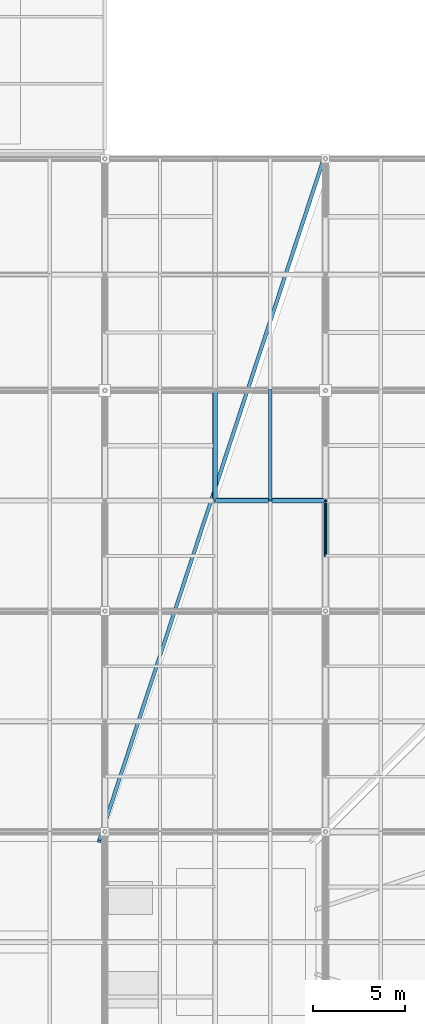
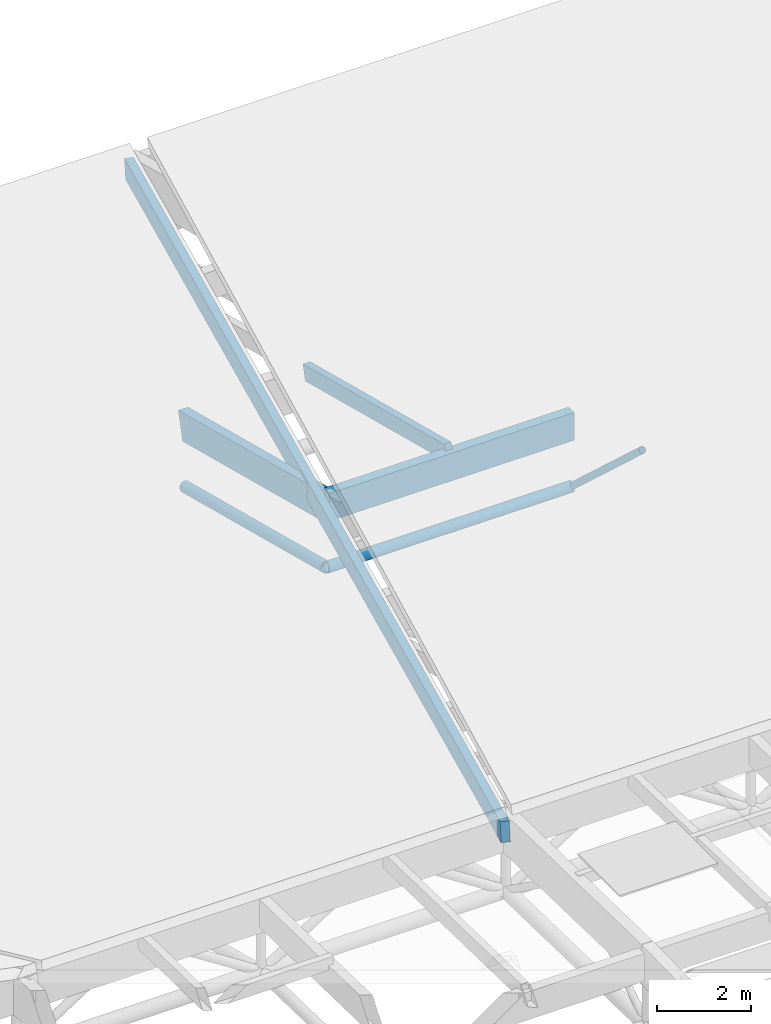
# One storey, part 61 of 80: 7 members.
"""IFC4 building model written with IfcOpenShell, lengths in metres."""

from ifc_helpers import new_model, si_unit, direction, frame, origin, origin_2d, place, context, subcontext, project, spatial, rectangle, hollow_circle, extrude, material, material_profile, profile_set, type_object, element, save


model = new_model("IFC4")

# Units and contexts
model_context = context("Model", 3, precision=1e-05, world=origin(), true_north=direction((0.0, 1.0)))
body_context = subcontext(model_context, "Body", "Model", "MODEL_VIEW")
ifc_project = project(units=[si_unit("LENGTHUNIT", "METRE"), si_unit("AREAUNIT", "SQUARE_METRE"), si_unit("VOLUMEUNIT", "CUBIC_METRE"), si_unit("PLANEANGLEUNIT", "RADIAN"), si_unit("MASSUNIT", "GRAM", prefix="KILO"), si_unit("THERMODYNAMICTEMPERATUREUNIT", "KELVIN"), si_unit("POWERUNIT", "WATT")], contexts=[model_context])

# Site, building, storey
site_placement = place(None, origin())
site = spatial("IfcSite", under=ifc_project, at=site_placement, CompositionType="ELEMENT")
building_placement = place(site_placement, origin())
building = spatial("IfcBuilding", under=site, at=building_placement, Name="Solmara Park Aquatics Centre", CompositionType="ELEMENT")
storey_placement = place(building_placement, frame((0.0, 0.0, 22.800048828125)))
storey = spatial("IfcBuildingStorey", under=building, at=storey_placement, Name="RF", CompositionType="ELEMENT", Elevation=22.800048828125)

# Members
ifc_material_1 = material(Name="Structural Steel S355", Category="steel")
ifc_material_profile_1 = material_profile(ifc_material_1, hollow_circle(Radius=0.084228515625, WallThickness=0.008056640625, at=origin_2d()), Name="CHS 168.3x8")
ifc_profile_set_1 = profile_set([ifc_material_profile_1], Name="Structural Steel S355")
member_type_1 = type_object("IfcMemberType", Name="STR-BRC-CHS168", PredefinedType="BRACE", material=ifc_profile_set_1)
member_1_placement = place(storey_placement, frame((72.60009765625, 66.60009765625, -9.58984375), z_axis=(0.0, -0.736437262703, 0.67650584484), x_axis=(1.0, 0.0, 0.0)))
element("IfcMember", 1, at=member_1_placement, inside=storey, type_object=member_type_1, Name="Roof Truss Web Diagonal Y 2102", PredefinedType="BRACE", context=body_context, shape_type="SweptSolid", body=[
    extrude(hollow_circle(Radius=0.084228515625, WallThickness=0.008056640625, at=origin_2d()), origin(), (0.0, 0.0, 1.0), 4.07373046875),
])
ifc_material_profile_2 = material_profile(ifc_material_1, hollow_circle(Radius=0.136474609375, WallThickness=0.012451171875, at=origin_2d()), Name="CHS 273x12.5")
ifc_profile_set_2 = profile_set([ifc_material_profile_2], Name="Structural Steel S355")
member_type_2 = type_object("IfcMemberType", Name="STR-CHD-CHS273", PredefinedType="CHORD", material=ifc_profile_set_2)
member_2_placement = place(storey_placement, frame((66.60009765625, 66.60009765625, -9.58984375), z_axis=(1.0, 0.0, 0.0), x_axis=(0.0, 1.0, 0.0)))
element("IfcMember", 2, at=member_2_placement, inside=storey, type_object=member_type_2, Name="Steel Roof Truss Bottom Chord X 0420", PredefinedType="CHORD", context=body_context, shape_type="SweptSolid", body=[
    extrude(hollow_circle(Radius=0.136474609375, WallThickness=0.012451171875, at=origin_2d()), origin(), (0.0, 0.0, 1.0), 6.0),
])
member_3_placement = place(storey_placement, frame((66.60009765625, 66.60009765625, -9.58984375), z_axis=(0.0, 0.968155143395, -0.250350990246), x_axis=(-1.0, 0.0, 0.0)))
element("IfcMember", 3, at=member_3_placement, inside=storey, type_object=member_type_2, Name="Steel Roof Truss Bottom Chord Y 0872", PredefinedType="CHORD", context=body_context, shape_type="SweptSolid", body=[
    extrude(hollow_circle(Radius=0.136474609375, WallThickness=0.012451171875, at=origin_2d()), origin(), (0.0, 0.0, 1.0), 6.197265625),
])
ifc_material_2 = material(Name="Glulam Timber GL28h", Category="wood")
ifc_material_profile_3 = material_profile(ifc_material_2, rectangle(XDim=0.239990234375, YDim=0.719970703125, at=origin_2d()), Name="GL28h 240x720")
ifc_profile_set_3 = profile_set([ifc_material_profile_3], Name="Glulam Timber GL28h")
member_type_3 = type_object("IfcMemberType", Name="STR-CHD-GL240x720", PredefinedType="CHORD", material=ifc_profile_set_3)
member_4_placement = place(storey_placement, frame((66.60009765625, 66.60009765625, -7.9697265625), z_axis=(1.0, 0.0, 0.0), x_axis=(0.0, 1.0, 0.0)))
element("IfcMember", 4, at=member_4_placement, inside=storey, type_object=member_type_3, Name="Glulam Roof Truss Top Chord X 0419", PredefinedType="CHORD", context=body_context, shape_type="SweptSolid", body=[
    extrude(rectangle(XDim=0.239990234375, YDim=0.719970703125, at=origin_2d()), origin(), (0.0, 0.0, 1.0), 6.0),
])
member_5_placement = place(storey_placement, frame((66.60009765625, 66.60009765625, -7.9697265625), z_axis=(0.0, 0.968145594442, -0.250387914969), x_axis=(-1.0, 0.0, 0.0)))
element("IfcMember", 5, at=member_5_placement, inside=storey, type_object=member_type_3, Name="Glulam Roof Truss Top Chord Y 0871", PredefinedType="CHORD", context=body_context, shape_type="SweptSolid", body=[
    extrude(rectangle(XDim=0.239990234375, YDim=0.719970703125, at=origin_2d()), origin(), (0.0, 0.0, 1.0), 6.197509765625),
])
ifc_material_profile_4 = material_profile(ifc_material_2, rectangle(XDim=0.179931640625, YDim=0.39990234375, at=origin_2d()), Name="GL28h 180x400")
ifc_profile_set_4 = profile_set([ifc_material_profile_4], Name="Glulam Timber GL28h")
member_type_4 = type_object("IfcMemberType", Name="STR-PRL-GL180x400", PredefinedType="PURLIN", material=ifc_profile_set_4)
member_6_placement = place(storey_placement, frame((69.60009765625, 66.60009765625, -7.649658203125), z_axis=(0.0, 0.968145594442, -0.250387914969), x_axis=(-1.0, 0.0, 0.0)))
element("IfcMember", 6, at=member_6_placement, inside=storey, type_object=member_type_4, Name="Glulam Roof Purlin 1664", PredefinedType="PURLIN", context=body_context, shape_type="SweptSolid", body=[
    extrude(rectangle(XDim=0.179931640625, YDim=0.39990234375, at=origin_2d()), origin(), (0.0, 0.0, 1.0), 6.197509765625),
])
ifc_material_profile_5 = material_profile(ifc_material_2, rectangle(XDim=0.199951171875, YDim=0.47998046875, at=origin_2d()), Name="GL28h 200x480")
ifc_profile_set_5 = profile_set([ifc_material_profile_5], Name="Glulam Timber GL28h")
member_type_5 = type_object("IfcMemberType", Name="STR-RFT-GL200x480", PredefinedType="RAFTER", material=ifc_profile_set_5)
member_7_placement = place(storey_placement, frame((72.509033203125, 85.199951171875, -12.60009765625), z_axis=(-0.303776382822, -0.922394755126, 0.238553610236), x_axis=(0.949816596921, -0.312807340408, 0.0)))
element("IfcMember", 7, at=member_7_placement, inside=storey, type_object=member_type_5, Name="Glulam Hip Jack Rafter NORTH-2", PredefinedType="RAFTER", context=body_context, shape_type="SweptSolid", body=[
    extrude(rectangle(XDim=0.199951171875, YDim=0.47998046875, at=origin_2d()), origin(), (0.0, 0.0, 1.0), 40.242919921875),
])

save(model, "model.ifc")
